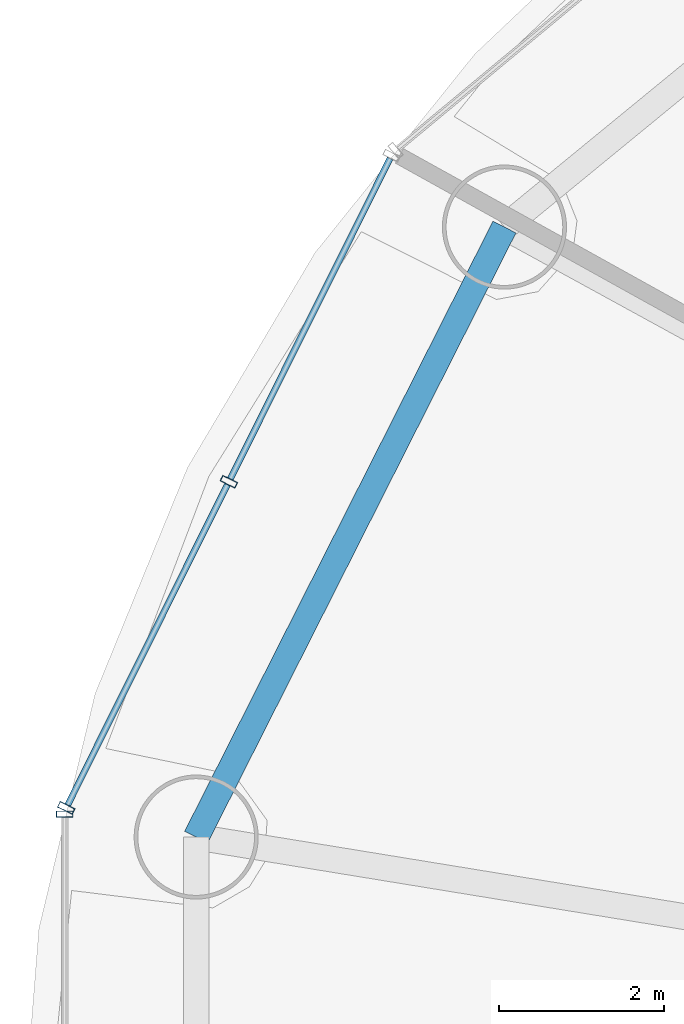
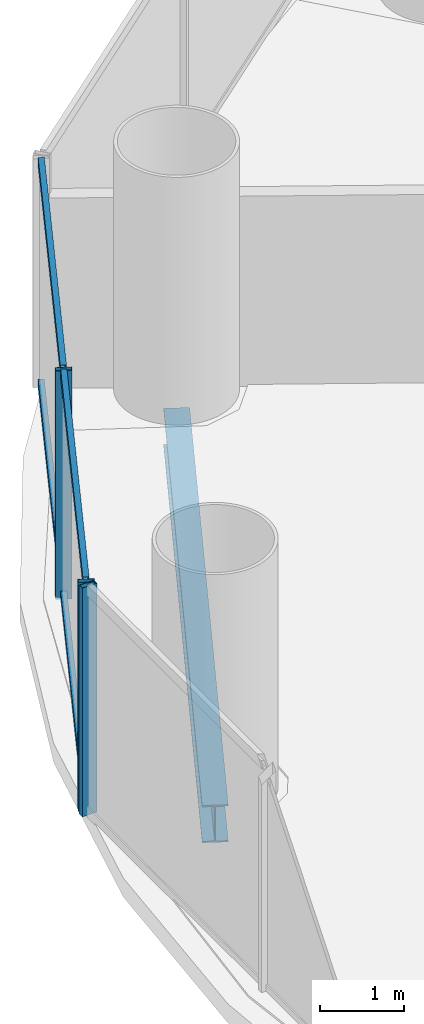
# One storey, part 9 of 29: 7 members, 1 beam, 2 elements without a shape of their own.
"""IFC4 building model written with IfcOpenShell, lengths in metres."""

from ifc_helpers import new_model, si_unit, direction, frame, origin, origin_2d, place, context, subcontext, project, spatial, hollow_rectangle, i_section, extrude, source, transform, mapped, material, material_profile, profile_set, type_object, element, aggregate, save


model = new_model("IFC4")

# Units and contexts
model_context = context("Model", 3, precision=1e-05, world=origin(), true_north=direction((-0.2419218956, 0.970295726276)))
body_context = subcontext(model_context, "Body", "Model", "MODEL_VIEW")
ifc_project = project(units=[si_unit("LENGTHUNIT", "METRE"), si_unit("AREAUNIT", "SQUARE_METRE"), si_unit("VOLUMEUNIT", "CUBIC_METRE"), si_unit("PLANEANGLEUNIT", "RADIAN"), si_unit("MASSUNIT", "GRAM", prefix="KILO")], contexts=[model_context])

# Site, building, storey
site_placement = place(None, origin())
site = spatial("IfcSite", under=ifc_project, at=site_placement, CompositionType="ELEMENT")
building_placement = place(site_placement, origin())
building = spatial("IfcBuilding", under=site, at=building_placement, Name="Cobrevalo Terracotta Tower", CompositionType="ELEMENT")
storey_placement = place(building_placement, frame((0.0, 0.0, 123.0)))
storey = spatial("IfcBuildingStorey", under=building, at=storey_placement, Name="L32", CompositionType="ELEMENT", Elevation=123.0)

# Beam
ifc_material_1 = material(Name="Steel S355", Category="steel")
ifc_material_profile_1 = material_profile(ifc_material_1, i_section(OverallWidth=0.31201171875, OverallDepth=0.54296875, WebThickness=0.0126953125, FlangeThickness=0.020263671875, at=origin_2d()), Name="W 530x150")
ifc_profile_set_1 = profile_set([ifc_material_profile_1], Name="Steel S355")
beam_type = type_object("IfcBeamType", Name="Structural Spandrel W 530x150 (Steel S355)", PredefinedType="SPANDREL", material=ifc_profile_set_1)
beam_placement = place(storey_placement, frame((17.2548828125, 38.161376953125, -0.54638671875), z_axis=(-0.451051982172, -0.892497680321, 0.0), x_axis=(0.892497680321, -0.451051982172, 0.0)))
element("IfcBeam", 1, at=beam_placement, inside=storey, type_object=beam_type, Name="L32 perimeter ring spandrel 07", PredefinedType="SPANDREL", context=body_context, shape_type="SweptSolid", body=[
    extrude(i_section(OverallWidth=0.31201171875, OverallDepth=0.54296875, WebThickness=0.0126953125, FlangeThickness=0.020263671875, at=origin_2d()), origin(), (0.0, 0.0, 1.0), 8.259765625),
])

# Curtain wall, members
ifc_material_2 = material(Name="Anodized aluminium", Category="aluminium")
curtain_wall_type = type_object("IfcCurtainWallType", Name="Lower-tower unitised acoustic low-E curtain wall CW-U1", PredefinedType="NOTDEFINED", material=ifc_material_2)
curtain_wall_1_placement = place(storey_placement, origin())
curtain_wall_1 = element("IfcCurtainWall", 2, at=curtain_wall_1_placement, inside=storey, type_object=curtain_wall_type, Name="L32 curtain wall CW-L32-S07", PredefinedType="NOTDEFINED")
ifc_material_profile_2 = material_profile(ifc_material_2, hollow_rectangle(XDim=0.074951171875, YDim=0.199951171875, WallThickness=0.0048828125, at=origin_2d()), Name="CWM 75x200")
ifc_profile_set_2 = profile_set([ifc_material_profile_2], Name="Anodized aluminium")
member_type_1 = type_object("IfcMemberType", Name="Lower/mid tower unitised mullion 75x200", PredefinedType="MULLION", material=ifc_profile_set_2)
shared_shape_1 = source(origin(), body_context, "Body", "SweptSolid", [
    extrude(hollow_rectangle(XDim=0.074951171875, YDim=0.199951171875, WallThickness=0.0048828125, at=origin_2d()), origin(), (0.0, 0.0, 1.0), 3.324951171875),
])
member_1_placement = place(storey_placement, frame((13.924072265625, 35.08349609375, 0.0), z_axis=(0.0, 0.0, 1.0), x_axis=(-0.446260290227, -0.894903208937, 0.0)))
member_1 = element("IfcMember", 3, at=member_1_placement, type_object=member_type_1, Name="CW-L32-S07 vertical mullion 02", PredefinedType="MULLION", context=body_context, shape_type="MappedRepresentation", body=[
    mapped(shared_shape_1, transform((0.0, 0.0, 0.0), scale=1.0)),
])
member_2_placement = place(storey_placement, frame((11.95849609375, 31.141357421875, 0.0), z_axis=(0.0, 0.0, 1.0), x_axis=(-0.446260290227, -0.894903208937, 0.0)))
member_2 = element("IfcMember", 4, at=member_2_placement, type_object=member_type_1, Name="CW-L32-S07 vertical mullion 03", PredefinedType="MULLION", context=body_context, shape_type="MappedRepresentation", body=[
    mapped(shared_shape_1, transform((0.0, 0.0, 0.0), scale=1.0)),
])

# Curtain wall, member
curtain_wall_2_placement = place(storey_placement, origin())
curtain_wall_2 = element("IfcCurtainWall", 5, at=curtain_wall_2_placement, inside=storey, type_object=curtain_wall_type, Name="L32 curtain wall CW-L32-S08", PredefinedType="NOTDEFINED")
member_3_placement = place(storey_placement, frame((11.9404296875, 31.065673828125, 0.0), z_axis=(0.0, 0.0, 1.0), x_axis=(0.0, -1.0, 0.0)))
member_3 = element("IfcMember", 6, at=member_3_placement, type_object=member_type_1, Name="CW-L32-S08 vertical mullion 01", PredefinedType="MULLION", context=body_context, shape_type="MappedRepresentation", body=[
    mapped(shared_shape_1, transform((0.0, 0.0, 0.0), scale=1.0)),
])
aggregate(curtain_wall_2, [member_3])

# Member
ifc_material_profile_3 = material_profile(ifc_material_2, hollow_rectangle(XDim=0.074951171875, YDim=0.14990234375, WallThickness=0.00439453125, at=origin_2d()), Name="CWT 75x150")
ifc_profile_set_3 = profile_set([ifc_material_profile_3], Name="Anodized aluminium")
member_type_2 = type_object("IfcMemberType", Name="Tower unitised aluminium transom 75x150", PredefinedType="USERDEFINED", material=ifc_profile_set_3)
shared_shape_2 = source(origin(), body_context, "Body", "SweptSolid", [
    extrude(hollow_rectangle(XDim=0.074951171875, YDim=0.14990234375, WallThickness=0.00439453125, at=origin_2d()), origin(), (0.0, 0.0, 1.0), 4.324951171875),
])
member_4_placement = place(storey_placement, frame((15.8720703125, 38.98974609375, 0.050048828125), z_axis=(-0.44624238083, -0.894912139571, 0.0), x_axis=(0.894912139571, -0.44624238083, 0.0)))
member_4 = element("IfcMember", 7, at=member_4_placement, type_object=member_type_2, Name="CW-L32-S07 transom B01-T1", ObjectType="TRANSOM", PredefinedType="USERDEFINED", context=body_context, shape_type="MappedRepresentation", body=[
    mapped(shared_shape_2, transform((0.0, 0.0, 0.0), scale=1.0)),
])

member_5_placement = place(storey_placement, frame((15.8720703125, 38.98974609375, 3.27490234375), z_axis=(-0.44624238083, -0.894912139571, 0.0), x_axis=(0.894912139571, -0.44624238083, 0.0)))
member_5 = element("IfcMember", 8, at=member_5_placement, type_object=member_type_2, Name="CW-L32-S07 transom B01-T2", ObjectType="TRANSOM", PredefinedType="USERDEFINED", context=body_context, shape_type="MappedRepresentation", body=[
    mapped(shared_shape_2, transform((0.0, 0.0, 0.0), scale=1.0)),
])

member_6_placement = place(storey_placement, frame((13.90625, 35.0478515625, 0.050048828125), z_axis=(-0.446219838389, -0.894923379864, 0.0), x_axis=(0.894923379864, -0.446219838389, 0.0)))
member_6 = element("IfcMember", 9, at=member_6_placement, type_object=member_type_2, Name="CW-L32-S07 transom B02-T1", ObjectType="TRANSOM", PredefinedType="USERDEFINED", context=body_context, shape_type="MappedRepresentation", body=[
    mapped(shared_shape_2, transform((0.0, 0.0, 0.0), scale=1.0)),
])

member_7_placement = place(storey_placement, frame((13.90625, 35.0478515625, 3.27490234375), z_axis=(-0.446219838389, -0.894923379864, 0.0), x_axis=(0.894923379864, -0.446219838389, 0.0)))
member_7 = element("IfcMember", 10, at=member_7_placement, type_object=member_type_2, Name="CW-L32-S07 transom B02-T2", ObjectType="TRANSOM", PredefinedType="USERDEFINED", context=body_context, shape_type="MappedRepresentation", body=[
    mapped(shared_shape_2, transform((0.0, 0.0, 0.0), scale=1.0)),
])

aggregate(curtain_wall_1, [member_1, member_2, member_4, member_5, member_6, member_7])

save(model, "model.ifc")
